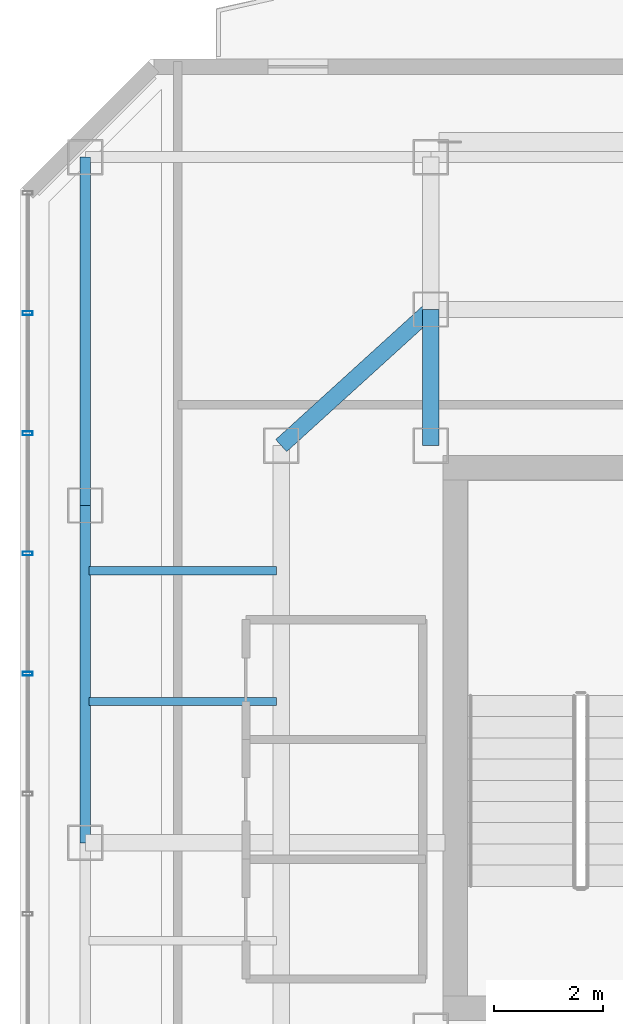
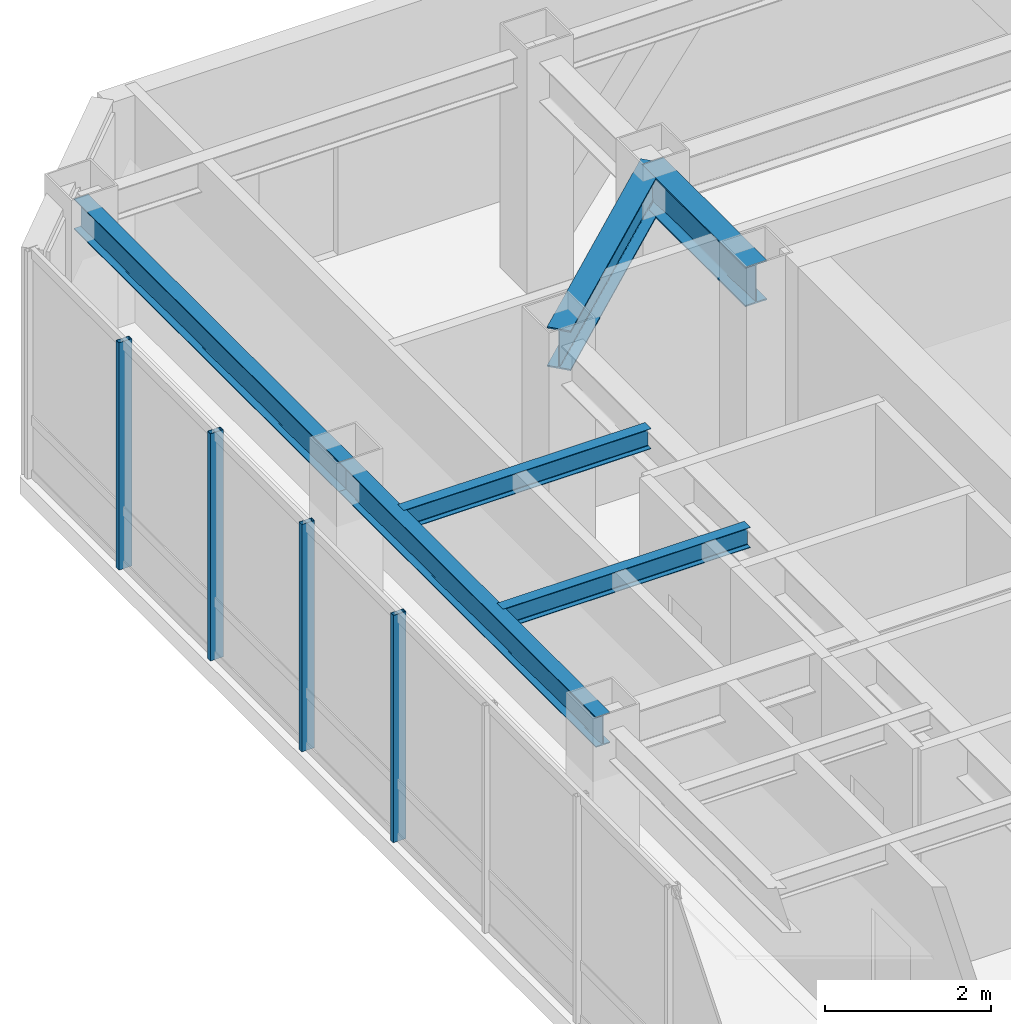
# One storey, part 10 of 22: 6 beams, 4 members, 1 element without a shape of its own.
"""IFC4 building model written with IfcOpenShell, lengths in metres."""

from ifc_helpers import new_model, si_unit, direction, frame, origin, origin_2d, place, context, subcontext, project, spatial, hollow_rectangle, i_section, extrude, material, layer, layer_set, material_profile, profile_set, type_object, element, aggregate, save


model = new_model("IFC4")

# Units and contexts
model_context = context("Model", 3, precision=1e-05, world=origin(), true_north=direction((0.0, 1.0)))
body_context = subcontext(model_context, "Body", "Model", "MODEL_VIEW")
ifc_project = project(units=[si_unit("LENGTHUNIT", "METRE"), si_unit("AREAUNIT", "SQUARE_METRE"), si_unit("VOLUMEUNIT", "CUBIC_METRE"), si_unit("PLANEANGLEUNIT", "RADIAN"), si_unit("MASSUNIT", "GRAM", prefix="KILO")], contexts=[model_context])

# Site, building, storey
site_placement = place(None, origin())
site = spatial("IfcSite", under=ifc_project, at=site_placement, CompositionType="ELEMENT")
building_placement = place(site_placement, origin())
building = spatial("IfcBuilding", under=site, at=building_placement, Name="Hatsunagi Terrace Concourse", CompositionType="ELEMENT")
storey_placement = place(building_placement, frame((0.0, 0.0, 239.550048828125)))
storey = spatial("IfcBuildingStorey", under=building, at=storey_placement, Name="L63", CompositionType="ELEMENT", Elevation=239.550048828125)

# Curtain wall, members
ifc_material_1 = material(Name="Anodised Aluminium Alloy 6063-T5", Category="aluminium")
ifc_layer = layer(ifc_material_1, 0.199951171875)
ifc_layer_set = layer_set([ifc_layer], Name="OfficeZone2_CW04")
curtain_wall_type = type_object("IfcCurtainWallType", Name="OfficeZone2_CW04", PredefinedType="NOTDEFINED", material=ifc_layer_set)
curtain_wall_placement = place(storey_placement, origin())
curtain_wall = element("IfcCurtainWall", 1, at=curtain_wall_placement, inside=storey, type_object=curtain_wall_type, Name="Unitised Curtain Wall CW-04 CW-L63-08", PredefinedType="NOTDEFINED")
ifc_material_2 = material(Name="Anodised Aluminium Alloy 6063-T5", Category="aluminium")
ifc_material_profile_1 = material_profile(ifc_material_2, hollow_rectangle(XDim=0.070068359375, YDim=0.179931640625, WallThickness=0.00390625, at=origin_2d()), Name="ALU-MUL-180x70x4")
ifc_profile_set_1 = profile_set([ifc_material_profile_1], Name="Anodised Aluminium Alloy 6063-T5")
member_type = type_object("IfcMemberType", Name="CurtainWallMullion_180x70", PredefinedType="MULLION", material=ifc_profile_set_1)
member_1_placement = place(storey_placement, frame((18.139892578125, 39.10791015625, 0.0), z_axis=(0.0, 0.0, 1.0), x_axis=(0.0, 1.0, 0.0)))
member_1 = element("IfcMember", 2, at=member_1_placement, type_object=member_type, Name="Curtain Wall Mullion MUL-02", PredefinedType="MULLION", context=body_context, shape_type="SweptSolid", body=[
    extrude(hollow_rectangle(XDim=0.070068359375, YDim=0.179931640625, WallThickness=0.00390625, at=origin_2d()), origin(), (0.0, 0.0, 1.0), 3.349853515625),
])
member_2_placement = place(storey_placement, frame((18.139892578125, 41.31689453125, 0.0), z_axis=(0.0, 0.0, 1.0), x_axis=(0.0, 1.0, 0.0)))
member_2 = element("IfcMember", 3, at=member_2_placement, type_object=member_type, Name="Curtain Wall Mullion MUL-02", PredefinedType="MULLION", context=body_context, shape_type="SweptSolid", body=[
    extrude(hollow_rectangle(XDim=0.070068359375, YDim=0.179931640625, WallThickness=0.00390625, at=origin_2d()), origin(), (0.0, 0.0, 1.0), 3.349853515625),
])
member_3_placement = place(storey_placement, frame((18.139892578125, 43.52490234375, 0.0), z_axis=(0.0, 0.0, 1.0), x_axis=(0.0, 1.0, 0.0)))
member_3 = element("IfcMember", 4, at=member_3_placement, type_object=member_type, Name="Curtain Wall Mullion MUL-02", PredefinedType="MULLION", context=body_context, shape_type="SweptSolid", body=[
    extrude(hollow_rectangle(XDim=0.070068359375, YDim=0.179931640625, WallThickness=0.00390625, at=origin_2d()), origin(), (0.0, 0.0, 1.0), 3.349853515625),
])
member_4_placement = place(storey_placement, frame((18.139892578125, 45.73388671875, 0.0), z_axis=(0.0, 0.0, 1.0), x_axis=(0.0, 1.0, 0.0)))
member_4 = element("IfcMember", 5, at=member_4_placement, type_object=member_type, Name="Curtain Wall Mullion MUL-02", PredefinedType="MULLION", context=body_context, shape_type="SweptSolid", body=[
    extrude(hollow_rectangle(XDim=0.070068359375, YDim=0.179931640625, WallThickness=0.00390625, at=origin_2d()), origin(), (0.0, 0.0, 1.0), 3.349853515625),
])
aggregate(curtain_wall, [member_1, member_2, member_3, member_4])

# Beams
ifc_material_3 = material(Name="Steel SN490B", Category="steel")
ifc_material_profile_2 = material_profile(ifc_material_3, i_section(OverallWidth=0.300048828125, OverallDepth=0.587890625, WebThickness=0.011962890625, FlangeThickness=0.02001953125, FilletRadius=0.01806640625, at=origin_2d()), Name="H-588x300x12x20")
ifc_profile_set_2 = profile_set([ifc_material_profile_2], Name="Steel SN490B")
beam_type_1 = type_object("IfcBeamType", Name="OfficeHighGirder_H_588x300", PredefinedType="BEAM", material=ifc_profile_set_2)
beam_1_placement = place(storey_placement, frame((25.550048828125, 43.300048828125, 3.055908203125), z_axis=(0.0, 1.0, 0.0), x_axis=(-1.0, 0.0, 0.0)))
element("IfcBeam", 6, at=beam_1_placement, inside=storey, type_object=beam_type_1, Name="Beam G-06 BM-L63-CN1", PredefinedType="BEAM", context=body_context, shape_type="SweptSolid", body=[
    extrude(i_section(OverallWidth=0.300048828125, OverallDepth=0.587890625, WebThickness=0.011962890625, FlangeThickness=0.02001953125, FilletRadius=0.01806640625, at=origin_2d()), origin(), (0.0, 0.0, 1.0), 2.5),
])
beam_2_placement = place(storey_placement, frame((22.800048828125, 43.300048828125, 3.055908203125), z_axis=(0.739940073396, 0.672672793996, 0.0), x_axis=(-0.672672793996, 0.739940073396, 0.0)))
element("IfcBeam", 7, at=beam_2_placement, inside=storey, type_object=beam_type_1, Name="Beam G-06 BM-L63-CWEW-N", PredefinedType="BEAM", context=body_context, shape_type="SweptSolid", body=[
    extrude(i_section(OverallWidth=0.300048828125, OverallDepth=0.587890625, WebThickness=0.011962890625, FlangeThickness=0.02001953125, FilletRadius=0.01806640625, at=origin_2d()), origin(), (0.0, 0.0, 1.0), 3.716552734375),
])
ifc_material_4 = material(Name="Steel SN490B", Category="steel")
ifc_material_profile_3 = material_profile(ifc_material_4, i_section(OverallWidth=0.14990234375, OverallDepth=0.300048828125, WebThickness=0.006591796875, FlangeThickness=0.009033203125, FilletRadius=0.010986328125, at=origin_2d()), Name="H-300x150x6.5x9")
ifc_profile_set_3 = profile_set([ifc_material_profile_3], Name="Steel SN490B")
beam_type_2 = type_object("IfcBeamType", Name="OfficeJoist_H_300x150", PredefinedType="JOIST", material=ifc_profile_set_3)
for number, where, z_axis, x_axis, name in (
    (8, (19.264892578125, 38.60009765625, 3.199951171875), (1.0, 0.0, 0.0), (0.0, 1.0, 0.0), "Beam J-03 J-L63-W-19-386"),
    (9, (19.264892578125, 41.0, 3.199951171875), (1.0, 0.0, 0.0), (0.0, 1.0, 0.0), "Beam J-03 J-L63-W-19-410"),
):
    element("IfcBeam", number, at=place(storey_placement, frame(where, z_axis=z_axis, x_axis=x_axis)), inside=storey, type_object=beam_type_2, Name=name, PredefinedType="JOIST", context=body_context, shape_type="SweptSolid", body=[
        extrude(i_section(OverallWidth=0.14990234375, OverallDepth=0.300048828125, WebThickness=0.006591796875, FlangeThickness=0.009033203125, FilletRadius=0.010986328125, at=origin_2d()), origin(), (0.0, 0.0, 1.0), 3.4501953125),
    ])
ifc_material_5 = material(Name="Steel SN490B", Category="steel")
ifc_material_profile_4 = material_profile(ifc_material_5, i_section(OverallWidth=0.199951171875, OverallDepth=0.449951171875, WebThickness=0.009033203125, FlangeThickness=0.013916015625, FilletRadius=0.01611328125, at=origin_2d()), Name="H-450x200x9x14")
ifc_profile_set_4 = profile_set([ifc_material_profile_4], Name="Steel SN490B")
beam_type_3 = type_object("IfcBeamType", Name="PerimeterSpandrel_H_450x200", PredefinedType="SPANDREL", material=ifc_profile_set_4)
beam_3_placement = place(storey_placement, frame((19.199951171875, 36.0, 3.125), z_axis=(0.0, 1.0, 0.0), x_axis=(-1.0, 0.0, 0.0)))
element("IfcBeam", 10, at=beam_3_placement, inside=storey, type_object=beam_type_3, Name="Beam SP-02 BM-L63-NS-19-36", PredefinedType="SPANDREL", context=body_context, shape_type="SweptSolid", body=[
    extrude(i_section(OverallWidth=0.199951171875, OverallDepth=0.449951171875, WebThickness=0.009033203125, FlangeThickness=0.013916015625, FilletRadius=0.01611328125, at=origin_2d()), origin(), (0.0, 0.0, 1.0), 6.199951171875),
])
beam_4_placement = place(storey_placement, frame((19.199951171875, 42.199951171875, 3.125), z_axis=(0.0, 1.0, 0.0), x_axis=(-1.0, 0.0, 0.0)))
element("IfcBeam", 11, at=beam_4_placement, inside=storey, type_object=beam_type_3, Name="Beam SP-02 BM-L63-NS-19-42", PredefinedType="SPANDREL", context=body_context, shape_type="SweptSolid", body=[
    extrude(i_section(OverallWidth=0.199951171875, OverallDepth=0.449951171875, WebThickness=0.009033203125, FlangeThickness=0.013916015625, FilletRadius=0.01611328125, at=origin_2d()), origin(), (0.0, 0.0, 1.0), 6.400146484375),
])

save(model, "model.ifc")
